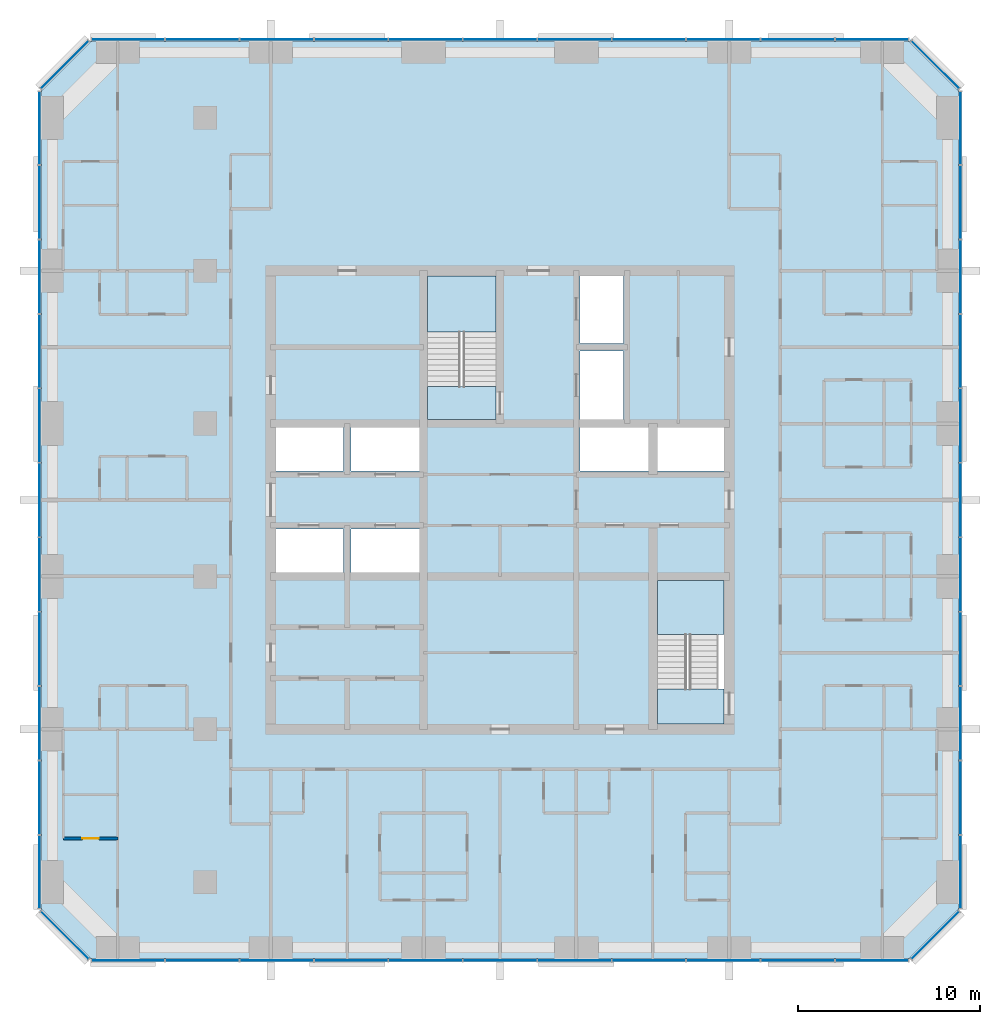
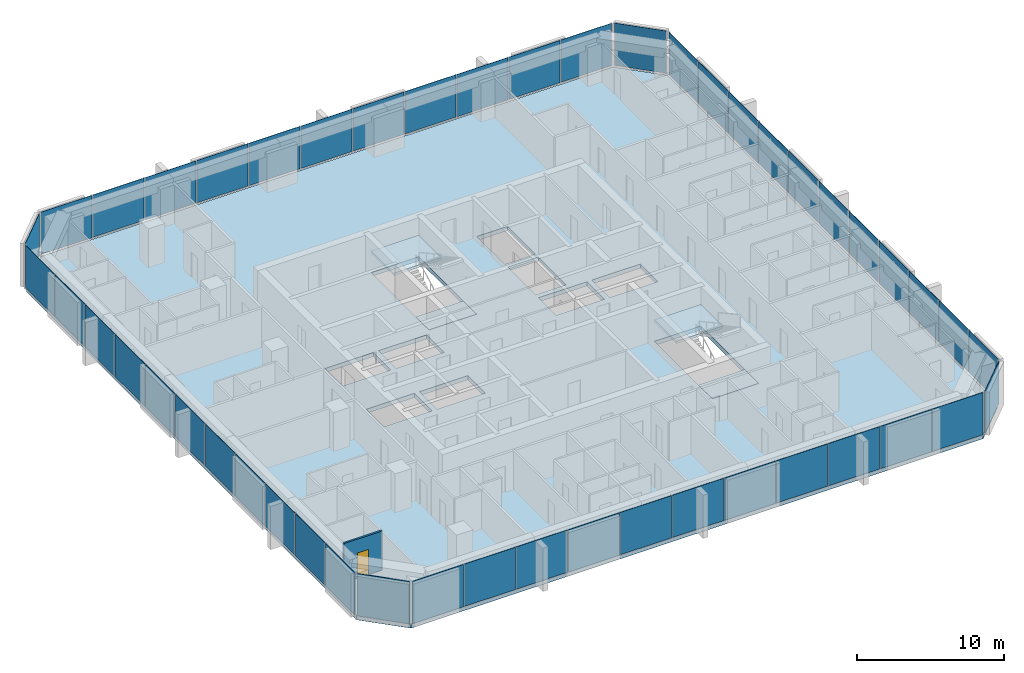
# One storey, part 7 of 14: 48 plates, 5 slabs, 1 door, 1 wall, 1 opening, 10 elements without a shape of their own.
"""IFC4 building model written with IfcOpenShell, lengths in metres."""

from ifc_helpers import new_model, si_unit, direction, frame, frame_2d, origin, origin_2d, place, context, subcontext, project, spatial, polyline, rectangle, outline, extrude, material, layer, layer_set, type_object, element, fill, aggregate, save


model = new_model("IFC4")

# Units and contexts
model_context = context("Model", 3, precision=1e-05, world=origin(), true_north=direction((0.0, 1.0)))
body_context = subcontext(model_context, "Body", "Model", "MODEL_VIEW")
ifc_project = project(units=[si_unit("LENGTHUNIT", "METRE"), si_unit("AREAUNIT", "SQUARE_METRE"), si_unit("VOLUMEUNIT", "CUBIC_METRE"), si_unit("PLANEANGLEUNIT", "RADIAN"), si_unit("MASSUNIT", "GRAM", prefix="KILO")], contexts=[model_context])

# Site, building, storey
site_placement = place(None, origin())
site = spatial("IfcSite", under=ifc_project, at=site_placement, CompositionType="ELEMENT")
building_placement = place(site_placement, origin())
building = spatial("IfcBuilding", under=site, at=building_placement, Name="Dunama Terrace Hotel", CompositionType="ELEMENT")
storey_placement = place(building_placement, frame((0.0, 0.0, 180.60009765625)))
storey = spatial("IfcBuildingStorey", under=building, at=storey_placement, Name="L46", CompositionType="ELEMENT", Elevation=180.60009765625)

# Curtain wall, plates
ifc_material_1 = material(Name="Aluminium curtain wall system", Category="aluminium")
curtain_wall_type = type_object("IfcCurtainWallType", Name="Unitised fritted glass wall CW-C", PredefinedType="NOTDEFINED", material=ifc_material_1)
curtain_wall_1_placement = place(storey_placement, origin())
curtain_wall_1 = element("IfcCurtainWall", 1, at=curtain_wall_1_placement, inside=storey, type_object=curtain_wall_type, Name="Unitised fritted glass wall CW-C L46", PredefinedType="NOTDEFINED")
ifc_material_2 = material(Name="Laminated glass", Category="glass")
ifc_layer_1 = layer(ifc_material_2, 0.031982421875)
ifc_layer_set_1 = layer_set([ifc_layer_1], Name="CWC clear glass panel")
plate_type_1 = type_object("IfcPlateType", Name="CWC clear glass panel", PredefinedType="CURTAIN_PANEL", material=ifc_layer_set_1)
plate_1_placement = place(storey_placement, frame((17.126953125, 4.10009765625, 0.079833984375), z_axis=(0.0, 0.0, 1.0), x_axis=(1.0, 0.0, 0.0)))
plate_1 = element("IfcPlate", 2, at=plate_1_placement, type_object=plate_type_1, Name="CWC clear glass panel", PredefinedType="CURTAIN_PANEL", context=body_context, shape_type="SweptSolid", body=[
    extrude(rectangle(XDim=4.02099609375, YDim=0.031982421875, at=origin_2d()), origin(), (0.0, 0.0, 1.0), 3.52001953125),
])
plate_2_placement = place(storey_placement, frame((29.39990234375, 4.10009765625, 0.079833984375), z_axis=(0.0, 0.0, 1.0), x_axis=(1.0, 0.0, 0.0)))
plate_2 = element("IfcPlate", 3, at=plate_2_placement, type_object=plate_type_1, Name="CWC clear glass panel", PredefinedType="CURTAIN_PANEL", context=body_context, shape_type="SweptSolid", body=[
    extrude(rectangle(XDim=4.02099609375, YDim=0.031982421875, at=origin_2d()), origin(), (0.0, 0.0, 1.0), 3.52001953125),
])
plate_3_placement = place(storey_placement, frame((41.673095703125, 4.10009765625, 0.079833984375), z_axis=(0.0, 0.0, 1.0), x_axis=(1.0, 0.0, 0.0)))
plate_3 = element("IfcPlate", 4, at=plate_3_placement, type_object=plate_type_1, Name="CWC clear glass panel", PredefinedType="CURTAIN_PANEL", context=body_context, shape_type="SweptSolid", body=[
    extrude(rectangle(XDim=4.02099609375, YDim=0.031982421875, at=origin_2d()), origin(), (0.0, 0.0, 1.0), 3.52001953125),
])

# Curtain wall, plate
curtain_wall_2_placement = place(storey_placement, origin())
curtain_wall_2 = element("IfcCurtainWall", 5, at=curtain_wall_2_placement, inside=storey, type_object=curtain_wall_type, Name="Unitised fritted glass wall CW-C L46", PredefinedType="NOTDEFINED")
plate_4_placement = place(storey_placement, frame((53.321044921875, 5.47900390625, 0.079833984375), z_axis=(0.0, 0.0, 1.0), x_axis=(0.707106781187, 0.707106781187, 0.0)))
plate_4 = element("IfcPlate", 6, at=plate_4_placement, type_object=plate_type_1, Name="CWC clear glass panel", PredefinedType="CURTAIN_PANEL", context=body_context, shape_type="SweptSolid", body=[
    extrude(rectangle(XDim=3.678466796875, YDim=0.031982421875, at=origin_2d()), origin(), (0.0, 0.0, 1.0), 3.52001953125),
])
aggregate(curtain_wall_2, [plate_4])

# Curtain wall, plates
curtain_wall_3_placement = place(storey_placement, origin())
curtain_wall_3 = element("IfcCurtainWall", 7, at=curtain_wall_3_placement, inside=storey, type_object=curtain_wall_type, Name="Unitised fritted glass wall CW-C L46", PredefinedType="NOTDEFINED")
plate_5_placement = place(storey_placement, frame((54.699951171875, 17.126953125, 0.079833984375), z_axis=(0.0, 0.0, 1.0), x_axis=(0.0, 1.0, 0.0)))
plate_5 = element("IfcPlate", 8, at=plate_5_placement, type_object=plate_type_1, Name="CWC clear glass panel", PredefinedType="CURTAIN_PANEL", context=body_context, shape_type="SweptSolid", body=[
    extrude(rectangle(XDim=4.02099609375, YDim=0.031982421875, at=origin_2d()), origin(), (0.0, 0.0, 1.0), 3.52001953125),
])
plate_6_placement = place(storey_placement, frame((54.699951171875, 29.39990234375, 0.079833984375), z_axis=(0.0, 0.0, 1.0), x_axis=(0.0, 1.0, 0.0)))
plate_6 = element("IfcPlate", 9, at=plate_6_placement, type_object=plate_type_1, Name="CWC clear glass panel", PredefinedType="CURTAIN_PANEL", context=body_context, shape_type="SweptSolid", body=[
    extrude(rectangle(XDim=4.02099609375, YDim=0.031982421875, at=origin_2d()), origin(), (0.0, 0.0, 1.0), 3.52001953125),
])
plate_7_placement = place(storey_placement, frame((54.699951171875, 41.673095703125, 0.079833984375), z_axis=(0.0, 0.0, 1.0), x_axis=(0.0, 1.0, 0.0)))
plate_7 = element("IfcPlate", 10, at=plate_7_placement, type_object=plate_type_1, Name="CWC clear glass panel", PredefinedType="CURTAIN_PANEL", context=body_context, shape_type="SweptSolid", body=[
    extrude(rectangle(XDim=4.02099609375, YDim=0.031982421875, at=origin_2d()), origin(), (0.0, 0.0, 1.0), 3.52001953125),
])

# Curtain wall, plate
curtain_wall_4_placement = place(storey_placement, origin())
curtain_wall_4 = element("IfcCurtainWall", 11, at=curtain_wall_4_placement, inside=storey, type_object=curtain_wall_type, Name="Unitised fritted glass wall CW-C L46", PredefinedType="NOTDEFINED")
plate_8_placement = place(storey_placement, frame((53.321044921875, 53.321044921875, 0.079833984375), z_axis=(0.0, 0.0, 1.0), x_axis=(-0.707106781187, 0.707106781187, 0.0)))
plate_8 = element("IfcPlate", 12, at=plate_8_placement, type_object=plate_type_1, Name="CWC clear glass panel", PredefinedType="CURTAIN_PANEL", context=body_context, shape_type="SweptSolid", body=[
    extrude(rectangle(XDim=3.678466796875, YDim=0.031982421875, at=origin_2d()), origin(), (0.0, 0.0, 1.0), 3.52001953125),
])
aggregate(curtain_wall_4, [plate_8])

# Curtain wall, plates
curtain_wall_5_placement = place(storey_placement, origin())
curtain_wall_5 = element("IfcCurtainWall", 13, at=curtain_wall_5_placement, inside=storey, type_object=curtain_wall_type, Name="Unitised fritted glass wall CW-C L46", PredefinedType="NOTDEFINED")
plate_9_placement = place(storey_placement, frame((41.673095703125, 54.699951171875, 0.079833984375), z_axis=(0.0, 0.0, 1.0), x_axis=(-1.0, 0.0, 0.0)))
plate_9 = element("IfcPlate", 14, at=plate_9_placement, type_object=plate_type_1, Name="CWC clear glass panel", PredefinedType="CURTAIN_PANEL", context=body_context, shape_type="SweptSolid", body=[
    extrude(rectangle(XDim=4.02099609375, YDim=0.031982421875, at=origin_2d()), origin(), (0.0, 0.0, 1.0), 3.52001953125),
])
plate_10_placement = place(storey_placement, frame((29.39990234375, 54.699951171875, 0.079833984375), z_axis=(0.0, 0.0, 1.0), x_axis=(-1.0, 0.0, 0.0)))
plate_10 = element("IfcPlate", 15, at=plate_10_placement, type_object=plate_type_1, Name="CWC clear glass panel", PredefinedType="CURTAIN_PANEL", context=body_context, shape_type="SweptSolid", body=[
    extrude(rectangle(XDim=4.02099609375, YDim=0.031982421875, at=origin_2d()), origin(), (0.0, 0.0, 1.0), 3.52001953125),
])
plate_11_placement = place(storey_placement, frame((17.126953125, 54.699951171875, 0.079833984375), z_axis=(0.0, 0.0, 1.0), x_axis=(-1.0, 0.0, 0.0)))
plate_11 = element("IfcPlate", 16, at=plate_11_placement, type_object=plate_type_1, Name="CWC clear glass panel", PredefinedType="CURTAIN_PANEL", context=body_context, shape_type="SweptSolid", body=[
    extrude(rectangle(XDim=4.02099609375, YDim=0.031982421875, at=origin_2d()), origin(), (0.0, 0.0, 1.0), 3.52001953125),
])

# Curtain wall, plate
curtain_wall_6_placement = place(storey_placement, origin())
curtain_wall_6 = element("IfcCurtainWall", 17, at=curtain_wall_6_placement, inside=storey, type_object=curtain_wall_type, Name="Unitised fritted glass wall CW-C L46", PredefinedType="NOTDEFINED")
plate_12_placement = place(storey_placement, frame((5.47900390625, 53.321044921875, 0.079833984375), z_axis=(0.0, 0.0, 1.0), x_axis=(-0.707106781187, -0.707106781187, 0.0)))
plate_12 = element("IfcPlate", 18, at=plate_12_placement, type_object=plate_type_1, Name="CWC clear glass panel", PredefinedType="CURTAIN_PANEL", context=body_context, shape_type="SweptSolid", body=[
    extrude(rectangle(XDim=3.678466796875, YDim=0.031982421875, at=origin_2d()), origin(), (0.0, 0.0, 1.0), 3.52001953125),
])
aggregate(curtain_wall_6, [plate_12])

# Curtain wall, plates
curtain_wall_7_placement = place(storey_placement, origin())
curtain_wall_7 = element("IfcCurtainWall", 19, at=curtain_wall_7_placement, inside=storey, type_object=curtain_wall_type, Name="Unitised fritted glass wall CW-C L46", PredefinedType="NOTDEFINED")
plate_13_placement = place(storey_placement, frame((4.10009765625, 41.673095703125, 0.079833984375), z_axis=(0.0, 0.0, 1.0), x_axis=(0.0, -1.0, 0.0)))
plate_13 = element("IfcPlate", 20, at=plate_13_placement, type_object=plate_type_1, Name="CWC clear glass panel", PredefinedType="CURTAIN_PANEL", context=body_context, shape_type="SweptSolid", body=[
    extrude(rectangle(XDim=4.02099609375, YDim=0.031982421875, at=origin_2d()), origin(), (0.0, 0.0, 1.0), 3.52001953125),
])
plate_14_placement = place(storey_placement, frame((4.10009765625, 29.39990234375, 0.079833984375), z_axis=(0.0, 0.0, 1.0), x_axis=(0.0, -1.0, 0.0)))
plate_14 = element("IfcPlate", 21, at=plate_14_placement, type_object=plate_type_1, Name="CWC clear glass panel", PredefinedType="CURTAIN_PANEL", context=body_context, shape_type="SweptSolid", body=[
    extrude(rectangle(XDim=4.02099609375, YDim=0.031982421875, at=origin_2d()), origin(), (0.0, 0.0, 1.0), 3.52001953125),
])
plate_15_placement = place(storey_placement, frame((4.10009765625, 17.126953125, 0.079833984375), z_axis=(0.0, 0.0, 1.0), x_axis=(0.0, -1.0, 0.0)))
plate_15 = element("IfcPlate", 22, at=plate_15_placement, type_object=plate_type_1, Name="CWC clear glass panel", PredefinedType="CURTAIN_PANEL", context=body_context, shape_type="SweptSolid", body=[
    extrude(rectangle(XDim=4.02099609375, YDim=0.031982421875, at=origin_2d()), origin(), (0.0, 0.0, 1.0), 3.52001953125),
])

# Curtain wall, plate
curtain_wall_8_placement = place(storey_placement, origin())
curtain_wall_8 = element("IfcCurtainWall", 23, at=curtain_wall_8_placement, inside=storey, type_object=curtain_wall_type, Name="Unitised fritted glass wall CW-C L46", PredefinedType="NOTDEFINED")
plate_16_placement = place(storey_placement, frame((5.47900390625, 5.47900390625, 0.079833984375), z_axis=(0.0, 0.0, 1.0), x_axis=(0.707106781187, -0.707106781187, 0.0)))
plate_16 = element("IfcPlate", 24, at=plate_16_placement, type_object=plate_type_1, Name="CWC clear glass panel", PredefinedType="CURTAIN_PANEL", context=body_context, shape_type="SweptSolid", body=[
    extrude(rectangle(XDim=3.678466796875, YDim=0.031982421875, at=origin_2d()), origin(), (0.0, 0.0, 1.0), 3.52001953125),
])
aggregate(curtain_wall_8, [plate_16])

# Plate
ifc_material_3 = material(Name="Fritted laminated glass", Category="glass")
ifc_layer_2 = layer(ifc_material_3, 0.031982421875)
ifc_layer_set_2 = layer_set([ifc_layer_2], Name="CWC fritted glass panel")
plate_type_2 = type_object("IfcPlateType", Name="CWC fritted glass panel", PredefinedType="CURTAIN_PANEL", material=ifc_layer_set_2)
plate_17_placement = place(storey_placement, frame((13.035888671875, 4.10009765625, 0.079833984375), z_axis=(0.0, 0.0, 1.0), x_axis=(1.0, 0.0, 0.0)))
plate_17 = element("IfcPlate", 25, at=plate_17_placement, type_object=plate_type_2, Name="CWC fritted glass panel", PredefinedType="CURTAIN_PANEL", context=body_context, shape_type="SweptSolid", body=[
    extrude(rectangle(XDim=4.02099609375, YDim=0.031982421875, at=origin_2d()), origin(), (0.0, 0.0, 1.0), 3.52001953125),
])

plate_18_placement = place(storey_placement, frame((25.30908203125, 4.10009765625, 0.079833984375), z_axis=(0.0, 0.0, 1.0), x_axis=(1.0, 0.0, 0.0)))
plate_18 = element("IfcPlate", 26, at=plate_18_placement, type_object=plate_type_2, Name="CWC fritted glass panel", PredefinedType="CURTAIN_PANEL", context=body_context, shape_type="SweptSolid", body=[
    extrude(rectangle(XDim=4.02099609375, YDim=0.031982421875, at=origin_2d()), origin(), (0.0, 0.0, 1.0), 3.52001953125),
])

plate_19_placement = place(storey_placement, frame((37.58203125, 4.10009765625, 0.079833984375), z_axis=(0.0, 0.0, 1.0), x_axis=(1.0, 0.0, 0.0)))
plate_19 = element("IfcPlate", 27, at=plate_19_placement, type_object=plate_type_2, Name="CWC fritted glass panel", PredefinedType="CURTAIN_PANEL", context=body_context, shape_type="SweptSolid", body=[
    extrude(rectangle(XDim=4.02099609375, YDim=0.031982421875, at=origin_2d()), origin(), (0.0, 0.0, 1.0), 3.52001953125),
])

plate_20_placement = place(storey_placement, frame((49.8369140625, 4.10009765625, 0.079833984375), z_axis=(0.0, 0.0, 1.0), x_axis=(1.0, 0.0, 0.0)))
plate_20 = element("IfcPlate", 28, at=plate_20_placement, type_object=plate_type_2, Name="CWC fritted glass panel", PredefinedType="CURTAIN_PANEL", context=body_context, shape_type="SweptSolid", body=[
    extrude(rectangle(XDim=3.98583984375, YDim=0.031982421875, at=origin_2d()), origin(), (0.0, 0.0, 1.0), 3.52001953125),
])

plate_21_placement = place(storey_placement, frame((54.699951171875, 13.035888671875, 0.079833984375), z_axis=(0.0, 0.0, 1.0), x_axis=(0.0, 1.0, 0.0)))
plate_21 = element("IfcPlate", 29, at=plate_21_placement, type_object=plate_type_2, Name="CWC fritted glass panel", PredefinedType="CURTAIN_PANEL", context=body_context, shape_type="SweptSolid", body=[
    extrude(rectangle(XDim=4.02099609375, YDim=0.031982421875, at=origin_2d()), origin(), (0.0, 0.0, 1.0), 3.52001953125),
])

plate_22_placement = place(storey_placement, frame((54.699951171875, 25.30908203125, 0.079833984375), z_axis=(0.0, 0.0, 1.0), x_axis=(0.0, 1.0, 0.0)))
plate_22 = element("IfcPlate", 30, at=plate_22_placement, type_object=plate_type_2, Name="CWC fritted glass panel", PredefinedType="CURTAIN_PANEL", context=body_context, shape_type="SweptSolid", body=[
    extrude(rectangle(XDim=4.02099609375, YDim=0.031982421875, at=origin_2d()), origin(), (0.0, 0.0, 1.0), 3.52001953125),
])

plate_23_placement = place(storey_placement, frame((54.699951171875, 37.58203125, 0.079833984375), z_axis=(0.0, 0.0, 1.0), x_axis=(0.0, 1.0, 0.0)))
plate_23 = element("IfcPlate", 31, at=plate_23_placement, type_object=plate_type_2, Name="CWC fritted glass panel", PredefinedType="CURTAIN_PANEL", context=body_context, shape_type="SweptSolid", body=[
    extrude(rectangle(XDim=4.02099609375, YDim=0.031982421875, at=origin_2d()), origin(), (0.0, 0.0, 1.0), 3.52001953125),
])

plate_24_placement = place(storey_placement, frame((54.699951171875, 49.8369140625, 0.079833984375), z_axis=(0.0, 0.0, 1.0), x_axis=(0.0, 1.0, 0.0)))
plate_24 = element("IfcPlate", 32, at=plate_24_placement, type_object=plate_type_2, Name="CWC fritted glass panel", PredefinedType="CURTAIN_PANEL", context=body_context, shape_type="SweptSolid", body=[
    extrude(rectangle(XDim=3.98583984375, YDim=0.031982421875, at=origin_2d()), origin(), (0.0, 0.0, 1.0), 3.52001953125),
])

plate_25_placement = place(storey_placement, frame((45.763916015625, 54.699951171875, 0.079833984375), z_axis=(0.0, 0.0, 1.0), x_axis=(-1.0, 0.0, 0.0)))
plate_25 = element("IfcPlate", 33, at=plate_25_placement, type_object=plate_type_2, Name="CWC fritted glass panel", PredefinedType="CURTAIN_PANEL", context=body_context, shape_type="SweptSolid", body=[
    extrude(rectangle(XDim=4.02099609375, YDim=0.031982421875, at=origin_2d()), origin(), (0.0, 0.0, 1.0), 3.52001953125),
])

plate_26_placement = place(storey_placement, frame((33.490966796875, 54.699951171875, 0.079833984375), z_axis=(0.0, 0.0, 1.0), x_axis=(-1.0, 0.0, 0.0)))
plate_26 = element("IfcPlate", 34, at=plate_26_placement, type_object=plate_type_2, Name="CWC fritted glass panel", PredefinedType="CURTAIN_PANEL", context=body_context, shape_type="SweptSolid", body=[
    extrude(rectangle(XDim=4.02099609375, YDim=0.031982421875, at=origin_2d()), origin(), (0.0, 0.0, 1.0), 3.52001953125),
])

plate_27_placement = place(storey_placement, frame((21.218017578125, 54.699951171875, 0.079833984375), z_axis=(0.0, 0.0, 1.0), x_axis=(-1.0, 0.0, 0.0)))
plate_27 = element("IfcPlate", 35, at=plate_27_placement, type_object=plate_type_2, Name="CWC fritted glass panel", PredefinedType="CURTAIN_PANEL", context=body_context, shape_type="SweptSolid", body=[
    extrude(rectangle(XDim=4.02099609375, YDim=0.031982421875, at=origin_2d()), origin(), (0.0, 0.0, 1.0), 3.52001953125),
])

plate_28_placement = place(storey_placement, frame((8.962890625, 54.699951171875, 0.079833984375), z_axis=(0.0, 0.0, 1.0), x_axis=(-1.0, 0.0, 0.0)))
plate_28 = element("IfcPlate", 36, at=plate_28_placement, type_object=plate_type_2, Name="CWC fritted glass panel", PredefinedType="CURTAIN_PANEL", context=body_context, shape_type="SweptSolid", body=[
    extrude(rectangle(XDim=3.98583984375, YDim=0.031982421875, at=origin_2d()), origin(), (0.0, 0.0, 1.0), 3.52001953125),
])

plate_29_placement = place(storey_placement, frame((4.10009765625, 45.763916015625, 0.079833984375), z_axis=(0.0, 0.0, 1.0), x_axis=(0.0, -1.0, 0.0)))
plate_29 = element("IfcPlate", 37, at=plate_29_placement, type_object=plate_type_2, Name="CWC fritted glass panel", PredefinedType="CURTAIN_PANEL", context=body_context, shape_type="SweptSolid", body=[
    extrude(rectangle(XDim=4.02099609375, YDim=0.031982421875, at=origin_2d()), origin(), (0.0, 0.0, 1.0), 3.52001953125),
])

plate_30_placement = place(storey_placement, frame((4.10009765625, 33.490966796875, 0.079833984375), z_axis=(0.0, 0.0, 1.0), x_axis=(0.0, -1.0, 0.0)))
plate_30 = element("IfcPlate", 38, at=plate_30_placement, type_object=plate_type_2, Name="CWC fritted glass panel", PredefinedType="CURTAIN_PANEL", context=body_context, shape_type="SweptSolid", body=[
    extrude(rectangle(XDim=4.02099609375, YDim=0.031982421875, at=origin_2d()), origin(), (0.0, 0.0, 1.0), 3.52001953125),
])

plate_31_placement = place(storey_placement, frame((4.10009765625, 21.218017578125, 0.079833984375), z_axis=(0.0, 0.0, 1.0), x_axis=(0.0, -1.0, 0.0)))
plate_31 = element("IfcPlate", 39, at=plate_31_placement, type_object=plate_type_2, Name="CWC fritted glass panel", PredefinedType="CURTAIN_PANEL", context=body_context, shape_type="SweptSolid", body=[
    extrude(rectangle(XDim=4.02099609375, YDim=0.031982421875, at=origin_2d()), origin(), (0.0, 0.0, 1.0), 3.52001953125),
])

plate_32_placement = place(storey_placement, frame((4.10009765625, 8.962890625, 0.079833984375), z_axis=(0.0, 0.0, 1.0), x_axis=(0.0, -1.0, 0.0)))
plate_32 = element("IfcPlate", 40, at=plate_32_placement, type_object=plate_type_2, Name="CWC fritted glass panel", PredefinedType="CURTAIN_PANEL", context=body_context, shape_type="SweptSolid", body=[
    extrude(rectangle(XDim=3.98583984375, YDim=0.031982421875, at=origin_2d()), origin(), (0.0, 0.0, 1.0), 3.52001953125),
])

ifc_material_4 = material(Name="Laminated glass", Category="glass")
ifc_layer_3 = layer(ifc_material_4, 0.031982421875)
ifc_layer_set_3 = layer_set([ifc_layer_3], Name="CWC operable glass panel")
plate_type_3 = type_object("IfcPlateType", Name="CWC operable glass panel", PredefinedType="CURTAIN_PANEL", material=ifc_layer_set_3)
plate_33_placement = place(storey_placement, frame((8.962890625, 4.10009765625, 0.079833984375), z_axis=(0.0, 0.0, 1.0), x_axis=(1.0, 0.0, 0.0)))
plate_33 = element("IfcPlate", 41, at=plate_33_placement, type_object=plate_type_3, Name="CWC operable glass panel", PredefinedType="CURTAIN_PANEL", context=body_context, shape_type="SweptSolid", body=[
    extrude(rectangle(XDim=3.98583984375, YDim=0.031982421875, at=origin_2d()), origin(), (0.0, 0.0, 1.0), 3.52001953125),
])

plate_34_placement = place(storey_placement, frame((21.218017578125, 4.10009765625, 0.079833984375), z_axis=(0.0, 0.0, 1.0), x_axis=(1.0, 0.0, 0.0)))
plate_34 = element("IfcPlate", 42, at=plate_34_placement, type_object=plate_type_3, Name="CWC operable glass panel", PredefinedType="CURTAIN_PANEL", context=body_context, shape_type="SweptSolid", body=[
    extrude(rectangle(XDim=4.02099609375, YDim=0.031982421875, at=origin_2d()), origin(), (0.0, 0.0, 1.0), 3.52001953125),
])

plate_35_placement = place(storey_placement, frame((33.490966796875, 4.10009765625, 0.079833984375), z_axis=(0.0, 0.0, 1.0), x_axis=(1.0, 0.0, 0.0)))
plate_35 = element("IfcPlate", 43, at=plate_35_placement, type_object=plate_type_3, Name="CWC operable glass panel", PredefinedType="CURTAIN_PANEL", context=body_context, shape_type="SweptSolid", body=[
    extrude(rectangle(XDim=4.02099609375, YDim=0.031982421875, at=origin_2d()), origin(), (0.0, 0.0, 1.0), 3.52001953125),
])

plate_36_placement = place(storey_placement, frame((45.763916015625, 4.10009765625, 0.079833984375), z_axis=(0.0, 0.0, 1.0), x_axis=(1.0, 0.0, 0.0)))
plate_36 = element("IfcPlate", 44, at=plate_36_placement, type_object=plate_type_3, Name="CWC operable glass panel", PredefinedType="CURTAIN_PANEL", context=body_context, shape_type="SweptSolid", body=[
    extrude(rectangle(XDim=4.02099609375, YDim=0.031982421875, at=origin_2d()), origin(), (0.0, 0.0, 1.0), 3.52001953125),
])

aggregate(curtain_wall_1, [plate_33, plate_17, plate_1, plate_34, plate_18, plate_2, plate_35, plate_19, plate_3, plate_36, plate_20])

plate_37_placement = place(storey_placement, frame((54.699951171875, 8.962890625, 0.079833984375), z_axis=(0.0, 0.0, 1.0), x_axis=(0.0, 1.0, 0.0)))
plate_37 = element("IfcPlate", 45, at=plate_37_placement, type_object=plate_type_3, Name="CWC operable glass panel", PredefinedType="CURTAIN_PANEL", context=body_context, shape_type="SweptSolid", body=[
    extrude(rectangle(XDim=3.98583984375, YDim=0.031982421875, at=origin_2d()), origin(), (0.0, 0.0, 1.0), 3.52001953125),
])

plate_38_placement = place(storey_placement, frame((54.699951171875, 21.218017578125, 0.079833984375), z_axis=(0.0, 0.0, 1.0), x_axis=(0.0, 1.0, 0.0)))
plate_38 = element("IfcPlate", 46, at=plate_38_placement, type_object=plate_type_3, Name="CWC operable glass panel", PredefinedType="CURTAIN_PANEL", context=body_context, shape_type="SweptSolid", body=[
    extrude(rectangle(XDim=4.02099609375, YDim=0.031982421875, at=origin_2d()), origin(), (0.0, 0.0, 1.0), 3.52001953125),
])

plate_39_placement = place(storey_placement, frame((54.699951171875, 33.490966796875, 0.079833984375), z_axis=(0.0, 0.0, 1.0), x_axis=(0.0, 1.0, 0.0)))
plate_39 = element("IfcPlate", 47, at=plate_39_placement, type_object=plate_type_3, Name="CWC operable glass panel", PredefinedType="CURTAIN_PANEL", context=body_context, shape_type="SweptSolid", body=[
    extrude(rectangle(XDim=4.02099609375, YDim=0.031982421875, at=origin_2d()), origin(), (0.0, 0.0, 1.0), 3.52001953125),
])

plate_40_placement = place(storey_placement, frame((54.699951171875, 45.763916015625, 0.079833984375), z_axis=(0.0, 0.0, 1.0), x_axis=(0.0, 1.0, 0.0)))
plate_40 = element("IfcPlate", 48, at=plate_40_placement, type_object=plate_type_3, Name="CWC operable glass panel", PredefinedType="CURTAIN_PANEL", context=body_context, shape_type="SweptSolid", body=[
    extrude(rectangle(XDim=4.02099609375, YDim=0.031982421875, at=origin_2d()), origin(), (0.0, 0.0, 1.0), 3.52001953125),
])

aggregate(curtain_wall_3, [plate_37, plate_21, plate_5, plate_38, plate_22, plate_6, plate_39, plate_23, plate_7, plate_40, plate_24])

plate_41_placement = place(storey_placement, frame((49.8369140625, 54.699951171875, 0.079833984375), z_axis=(0.0, 0.0, 1.0), x_axis=(-1.0, 0.0, 0.0)))
plate_41 = element("IfcPlate", 49, at=plate_41_placement, type_object=plate_type_3, Name="CWC operable glass panel", PredefinedType="CURTAIN_PANEL", context=body_context, shape_type="SweptSolid", body=[
    extrude(rectangle(XDim=3.98583984375, YDim=0.031982421875, at=origin_2d()), origin(), (0.0, 0.0, 1.0), 3.52001953125),
])

plate_42_placement = place(storey_placement, frame((37.58203125, 54.699951171875, 0.079833984375), z_axis=(0.0, 0.0, 1.0), x_axis=(-1.0, 0.0, 0.0)))
plate_42 = element("IfcPlate", 50, at=plate_42_placement, type_object=plate_type_3, Name="CWC operable glass panel", PredefinedType="CURTAIN_PANEL", context=body_context, shape_type="SweptSolid", body=[
    extrude(rectangle(XDim=4.02099609375, YDim=0.031982421875, at=origin_2d()), origin(), (0.0, 0.0, 1.0), 3.52001953125),
])

plate_43_placement = place(storey_placement, frame((25.30908203125, 54.699951171875, 0.079833984375), z_axis=(0.0, 0.0, 1.0), x_axis=(-1.0, 0.0, 0.0)))
plate_43 = element("IfcPlate", 51, at=plate_43_placement, type_object=plate_type_3, Name="CWC operable glass panel", PredefinedType="CURTAIN_PANEL", context=body_context, shape_type="SweptSolid", body=[
    extrude(rectangle(XDim=4.02099609375, YDim=0.031982421875, at=origin_2d()), origin(), (0.0, 0.0, 1.0), 3.52001953125),
])

plate_44_placement = place(storey_placement, frame((13.035888671875, 54.699951171875, 0.079833984375), z_axis=(0.0, 0.0, 1.0), x_axis=(-1.0, 0.0, 0.0)))
plate_44 = element("IfcPlate", 52, at=plate_44_placement, type_object=plate_type_3, Name="CWC operable glass panel", PredefinedType="CURTAIN_PANEL", context=body_context, shape_type="SweptSolid", body=[
    extrude(rectangle(XDim=4.02099609375, YDim=0.031982421875, at=origin_2d()), origin(), (0.0, 0.0, 1.0), 3.52001953125),
])

aggregate(curtain_wall_5, [plate_41, plate_25, plate_9, plate_42, plate_26, plate_10, plate_43, plate_27, plate_11, plate_44, plate_28])

plate_45_placement = place(storey_placement, frame((4.10009765625, 49.8369140625, 0.079833984375), z_axis=(0.0, 0.0, 1.0), x_axis=(0.0, -1.0, 0.0)))
plate_45 = element("IfcPlate", 53, at=plate_45_placement, type_object=plate_type_3, Name="CWC operable glass panel", PredefinedType="CURTAIN_PANEL", context=body_context, shape_type="SweptSolid", body=[
    extrude(rectangle(XDim=3.98583984375, YDim=0.031982421875, at=origin_2d()), origin(), (0.0, 0.0, 1.0), 3.52001953125),
])

plate_46_placement = place(storey_placement, frame((4.10009765625, 37.58203125, 0.079833984375), z_axis=(0.0, 0.0, 1.0), x_axis=(0.0, -1.0, 0.0)))
plate_46 = element("IfcPlate", 54, at=plate_46_placement, type_object=plate_type_3, Name="CWC operable glass panel", PredefinedType="CURTAIN_PANEL", context=body_context, shape_type="SweptSolid", body=[
    extrude(rectangle(XDim=4.02099609375, YDim=0.031982421875, at=origin_2d()), origin(), (0.0, 0.0, 1.0), 3.52001953125),
])

plate_47_placement = place(storey_placement, frame((4.10009765625, 25.30908203125, 0.079833984375), z_axis=(0.0, 0.0, 1.0), x_axis=(0.0, -1.0, 0.0)))
plate_47 = element("IfcPlate", 55, at=plate_47_placement, type_object=plate_type_3, Name="CWC operable glass panel", PredefinedType="CURTAIN_PANEL", context=body_context, shape_type="SweptSolid", body=[
    extrude(rectangle(XDim=4.02099609375, YDim=0.031982421875, at=origin_2d()), origin(), (0.0, 0.0, 1.0), 3.52001953125),
])

plate_48_placement = place(storey_placement, frame((4.10009765625, 13.035888671875, 0.079833984375), z_axis=(0.0, 0.0, 1.0), x_axis=(0.0, -1.0, 0.0)))
plate_48 = element("IfcPlate", 56, at=plate_48_placement, type_object=plate_type_3, Name="CWC operable glass panel", PredefinedType="CURTAIN_PANEL", context=body_context, shape_type="SweptSolid", body=[
    extrude(rectangle(XDim=4.02099609375, YDim=0.031982421875, at=origin_2d()), origin(), (0.0, 0.0, 1.0), 3.52001953125),
])

aggregate(curtain_wall_7, [plate_45, plate_29, plate_13, plate_46, plate_30, plate_14, plate_47, plate_31, plate_15, plate_48, plate_32])

# Slab
ifc_material_5 = material(Name="Concrete C40/50", Category="concrete")
ifc_layer_4 = layer(ifc_material_5, 0.35009765625)
ifc_layer_set_4 = layer_set([ifc_layer_4], Name="Flat plate 350")
slab_type_1 = type_object("IfcSlabType", Name="Flat plate 350", PredefinedType="FLOOR", material=ifc_layer_set_4)
slab_1_placement = place(storey_placement, frame((0.0, 0.0, -0.35009765625)))
element("IfcSlab", 57, at=slab_1_placement, inside=storey, type_object=slab_type_1, Name="Floor slab L46", PredefinedType="FLOOR", context=body_context, shape_type="SweptSolid", body=[
    extrude(outline(polyline([(6.89990234375, 4.199951171875), (51.89990234375, 4.199951171875), (54.60009765625, 6.89990234375), (54.60009765625, 51.89990234375), (51.89990234375, 54.60009765625), (6.89990234375, 54.60009765625), (4.199951171875, 51.89990234375), (4.199951171875, 6.89990234375), (6.89990234375, 4.199951171875)]), holes=[polyline([(20.800048828125, 25.39990234375), (20.800048828125, 27.800048828125), (17.0, 27.800048828125), (17.0, 25.39990234375), (20.800048828125, 25.39990234375)]), polyline([(25.0, 25.39990234375), (25.0, 27.800048828125), (21.199951171875, 27.800048828125), (21.199951171875, 25.39990234375), (25.0, 25.39990234375)]), polyline([(20.800048828125, 31.0), (20.800048828125, 33.39990234375), (17.0, 33.39990234375), (17.0, 31.0), (20.800048828125, 31.0)]), polyline([(25.0, 31.0), (25.0, 33.39990234375), (21.199951171875, 33.39990234375), (21.199951171875, 31.0), (25.0, 31.0)]), polyline([(37.60009765625, 31.0), (37.60009765625, 33.39990234375), (33.800048828125, 33.39990234375), (33.800048828125, 31.0), (37.60009765625, 31.0)]), polyline([(41.800048828125, 31.0), (41.800048828125, 33.39990234375), (38.0, 33.39990234375), (38.0, 31.0), (41.800048828125, 31.0)]), polyline([(36.199951171875, 38.0), (36.199951171875, 41.800048828125), (33.800048828125, 41.800048828125), (33.800048828125, 38.0), (36.199951171875, 38.0)]), polyline([(36.199951171875, 33.800048828125), (36.199951171875, 37.60009765625), (33.800048828125, 37.60009765625), (33.800048828125, 33.800048828125), (36.199951171875, 33.800048828125)]), polyline([(29.175048828125, 33.824951171875), (29.175048828125, 41.699951171875), (25.425048828125, 41.699951171875), (25.425048828125, 33.824951171875), (29.175048828125, 33.824951171875)]), polyline([(41.699951171875, 17.10009765625), (41.699951171875, 24.97509765625), (38.050048828125, 24.97509765625), (38.050048828125, 17.10009765625), (41.699951171875, 17.10009765625)])]), origin(), (0.0, 0.0, 1.0), 0.35009765625),
])

# Stair, slabs
ifc_material_6 = material(Name="Concrete C40/50", Category="concrete")
stair_type_1 = type_object("IfcStairType", Name="Stair ST1-3600-1800", PredefinedType="HALF_TURN_STAIR", material=ifc_material_6)
stair_1_placement = place(storey_placement, origin())
stair_1 = element("IfcStair", 58, at=stair_1_placement, inside=storey, type_object=stair_type_1, Name="Stair ST1 L46", PredefinedType="HALF_TURN_STAIR")
ifc_material_7 = material(Name="Concrete C40/50", Category="concrete")
ifc_layer_5 = layer(ifc_material_7, 0.199951171875)
ifc_layer_set_5 = layer_set([ifc_layer_5], Name="Stair landing 200")
slab_type_2 = type_object("IfcSlabType", Name="Stair landing 200", PredefinedType="LANDING", material=ifc_layer_set_5)
slab_2_placement = place(storey_placement, frame((0.0, 0.0, -0.2001953125)))
slab_2 = element("IfcSlab", 59, at=slab_2_placement, type_object=slab_type_2, Name="ST1 landing 1, type S10", PredefinedType="LANDING", context=body_context, shape_type="SweptSolid", body=[
    extrude(outline(polyline([(25.425048828125, 33.824951171875), (29.175048828125, 33.824951171875), (29.175048828125, 35.625), (25.425048828125, 35.625), (25.425048828125, 33.824951171875)])), origin(), (0.0, 0.0, 1.0), 0.2001953125),
])
slab_3_placement = place(storey_placement, frame((0.0, 0.0, 1.599853515625)))
slab_3 = element("IfcSlab", 60, at=slab_3_placement, type_object=slab_type_2, Name="ST1 landing 2, type S10", PredefinedType="LANDING", context=body_context, shape_type="SweptSolid", body=[
    extrude(outline(polyline([(25.425048828125, 38.625), (29.175048828125, 38.625), (29.175048828125, 41.699951171875), (25.425048828125, 41.699951171875), (25.425048828125, 38.625)])), origin(), (0.0, 0.0, 1.0), 0.199951171875),
])
aggregate(stair_1, [slab_2, slab_3])

ifc_material_8 = material(Name="Concrete C40/50", Category="concrete")
stair_type_2 = type_object("IfcStairType", Name="Stair ST2-3600-1600", PredefinedType="HALF_TURN_STAIR", material=ifc_material_8)
stair_2_placement = place(storey_placement, origin())
stair_2 = element("IfcStair", 61, at=stair_2_placement, inside=storey, type_object=stair_type_2, Name="Stair ST2 L46", PredefinedType="HALF_TURN_STAIR")
slab_4_placement = place(storey_placement, frame((0.0, 0.0, -0.2001953125)))
slab_4 = element("IfcSlab", 62, at=slab_4_placement, type_object=slab_type_2, Name="ST2 landing 1, type S10", PredefinedType="LANDING", context=body_context, shape_type="SweptSolid", body=[
    extrude(outline(polyline([(38.050048828125, 17.10009765625), (41.699951171875, 17.10009765625), (41.699951171875, 19.0), (38.050048828125, 19.0), (38.050048828125, 17.10009765625)])), origin(), (0.0, 0.0, 1.0), 0.2001953125),
])
slab_5_placement = place(storey_placement, frame((0.0, 0.0, 1.599853515625)))
slab_5 = element("IfcSlab", 63, at=slab_5_placement, type_object=slab_type_2, Name="ST2 landing 2, type S10", PredefinedType="LANDING", context=body_context, shape_type="SweptSolid", body=[
    extrude(outline(polyline([(38.050048828125, 22.0), (41.699951171875, 22.0), (41.699951171875, 24.97509765625), (38.050048828125, 24.97509765625), (38.050048828125, 22.0)])), origin(), (0.0, 0.0, 1.0), 0.199951171875),
])
aggregate(stair_2, [slab_4, slab_5])

# Wall, opening, door
ifc_material_9 = material(Name="Gypsum board partition", Category="masonry")
ifc_layer_6 = layer(ifc_material_9, 0.14990234375)
ifc_layer_set_6 = layer_set([ifc_layer_6], Name="Room partition 150")
wall_type = type_object("IfcWallType", Name="Room partition 150", PredefinedType="PARTITIONING", material=ifc_layer_set_6)
wall_placement = place(storey_placement, frame((5.39990234375, 10.800048828125, 0.0), z_axis=(0.0, 0.0, 1.0), x_axis=(1.0, 0.0, 0.0)))
wall = element("IfcWall", 64, at=wall_placement, inside=storey, type_object=wall_type, Name="Room partition 150 L46", PredefinedType="PARTITIONING", context=body_context, shape_type="SweptSolid", body=[
    extrude(rectangle(XDim=3.0, YDim=0.14990234375, at=frame_2d((1.5, 0.0))), origin(), (0.0, 0.0, 1.0), 3.25),
])
opening_placement = place(wall_placement, frame((1.050048828125, 0.0, 0.0)))
opening = element("IfcOpeningElement", 65, at=opening_placement, cuts=wall, Name="Opening L46-47-056", PredefinedType="OPENING", context=body_context, shape_type="SweptSolid", body=[
    extrude(rectangle(XDim=0.89990234375, YDim=2.10009765625, at=frame_2d((0.449951171875, 1.050048828125))), frame((0.0, 0.0849609375, 0.0), z_axis=(0.0, -1.0, 0.0), x_axis=(1.0, 0.0, 0.0)), (0.0, 0.0, 1.0), 0.169921875),
])
ifc_material_10 = material(Name="Timber door with steel frame", Category="steel")
door_type = type_object("IfcDoorType", Name="Suite internal door 900", OperationType="SINGLE_SWING_LEFT", PredefinedType="DOOR", material=ifc_material_10)
door_placement = place(opening_placement, origin())
door = element("IfcDoor", 66, at=door_placement, inside=storey, type_object=door_type, Name="Door to dressing room L46-47-056, type D16", OperationType="SINGLE_SWING_LEFT", OverallHeight=2.10009765625, OverallWidth=0.89990234375, PredefinedType="DOOR", context=body_context, shape_type="SweptSolid", body=[
    extrude(rectangle(XDim=0.89990234375, YDim=2.10009765625, at=frame_2d((0.449951171875, 1.050048828125))), frame((0.0, 0.02490234375, 0.0), z_axis=(0.0, -1.0, 0.0), x_axis=(1.0, 0.0, 0.0)), (0.0, 0.0, 1.0), 0.050048828125),
])
fill(opening, door)

save(model, "model.ifc")
